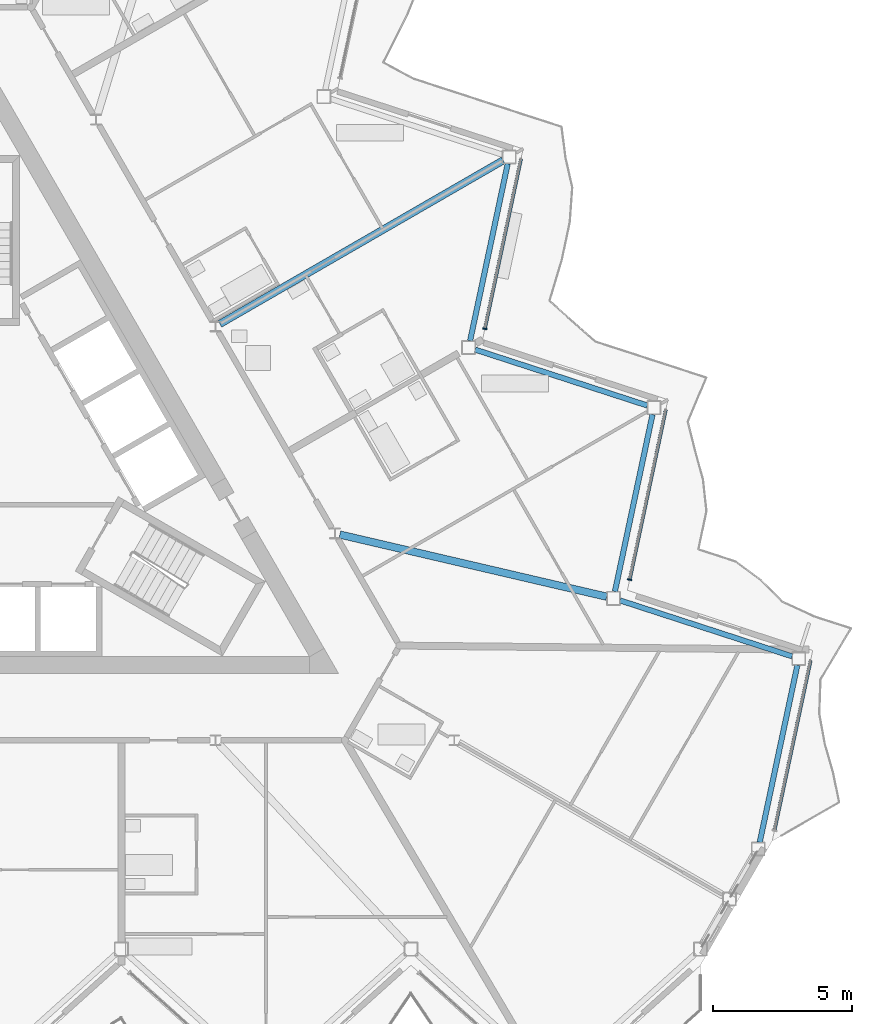
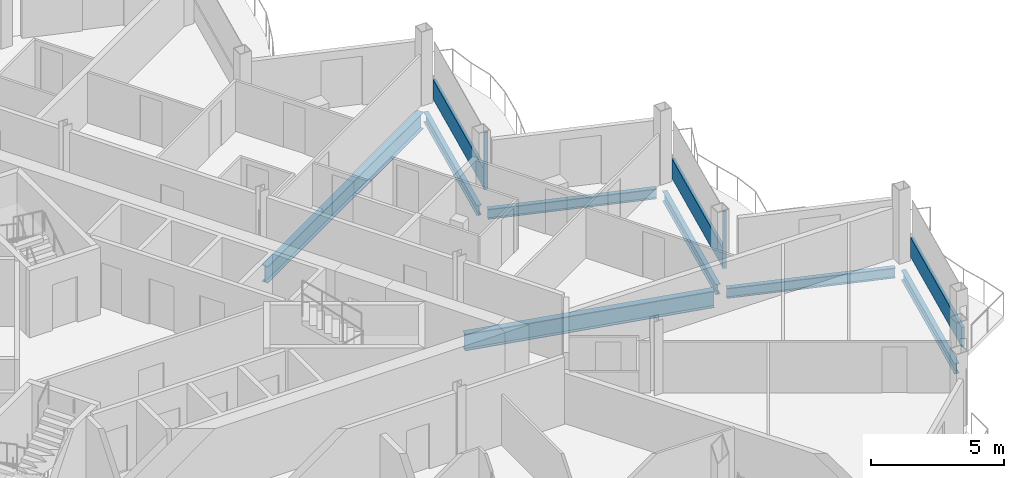
# One storey, part 8 of 26: 7 beams, 5 members, 3 elements without a shape of their own.
"""IFC4 building model written with IfcOpenShell, lengths in metres."""

from ifc_helpers import new_model, si_unit, direction, frame, origin, origin_2d, place, context, subcontext, project, spatial, rectangle, i_section, extrude, material, layer, layer_set, material_profile, profile_set, type_object, element, aggregate, save


model = new_model("IFC4")

# Units and contexts
model_context = context("Model", 3, precision=1e-05, world=origin(), true_north=direction((0.0, 1.0)))
body_context = subcontext(model_context, "Body", "Model", "MODEL_VIEW")
ifc_project = project(units=[si_unit("LENGTHUNIT", "METRE"), si_unit("AREAUNIT", "SQUARE_METRE"), si_unit("VOLUMEUNIT", "CUBIC_METRE"), si_unit("PLANEANGLEUNIT", "RADIAN"), si_unit("MASSUNIT", "GRAM", prefix="KILO")], contexts=[model_context])

# Site, building, storey
site_placement = place(None, origin())
site = spatial("IfcSite", under=ifc_project, at=site_placement, CompositionType="ELEMENT")
building_placement = place(site_placement, origin())
building = spatial("IfcBuilding", under=site, at=building_placement, Name="Cormorant Prow Tower", CompositionType="ELEMENT")
storey_placement = place(building_placement, frame((0.0, 0.0, 374.60009765625)))
storey = spatial("IfcBuildingStorey", under=building, at=storey_placement, Name="L84", CompositionType="ELEMENT", Elevation=374.60009765625)

# Beams
ifc_material_1 = material(Name="Structural steel ASTM A992 Gr 50", Category="steel")
ifc_material_profile_1 = material_profile(ifc_material_1, i_section(OverallWidth=0.267822265625, OverallDepth=0.77001953125, WebThickness=0.015625, FlangeThickness=0.025390625, at=origin_2d()), Name="W30x132")
ifc_profile_set_1 = profile_set([ifc_material_profile_1], Name="Structural steel ASTM A992 Gr 50")
beam_type_1 = type_object("IfcBeamType", Name="Radial floor beam W30x132", PredefinedType="BEAM", material=ifc_profile_set_1)
beam_1_placement = place(storey_placement, frame((13.0498046875, -2.518798828125, -0.68505859375), z_axis=(0.973926084128, -0.226865560752, 0.0), x_axis=(0.226865560752, 0.973926084128, 0.0)))
element("IfcBeam", 1, at=beam_1_placement, inside=storey, type_object=beam_type_1, Name="Radial floor beam FB3 10 L84", PredefinedType="BEAM", context=body_context, shape_type="SweptSolid", body=[
    extrude(i_section(OverallWidth=0.267822265625, OverallDepth=0.77001953125, WebThickness=0.015625, FlangeThickness=0.025390625, at=origin_2d()), origin(), (0.0, 0.0, 1.0), 9.837158203125),
])
beam_2_placement = place(storey_placement, frame((8.740478515625, 5.04638671875, -0.68505859375), z_axis=(0.866026702285, 0.499997750924, 0.0), x_axis=(-0.499997750924, 0.866026702285, 0.0)))
element("IfcBeam", 2, at=beam_2_placement, inside=storey, type_object=beam_type_1, Name="Radial floor beam FB3 11 L84", PredefinedType="BEAM", context=body_context, shape_type="SweptSolid", body=[
    extrude(i_section(OverallWidth=0.267822265625, OverallDepth=0.77001953125, WebThickness=0.015625, FlangeThickness=0.025390625, at=origin_2d()), origin(), (0.0, 0.0, 1.0), 11.7451171875),
])

# Curtain wall, member
ifc_material_2 = material(Name="Aluminium 6063-T6", Category="aluminium")
ifc_layer = layer(ifc_material_2, 0.159912109375)
ifc_layer_set = layer_set([ifc_layer], Name="Aluminium 6063-T6")
curtain_wall_type = type_object("IfcCurtainWallType", Name="Residential unitised curtain wall 160", PredefinedType="NOTDEFINED", material=ifc_layer_set)
curtain_wall_1_placement = place(storey_placement, origin())
curtain_wall_1 = element("IfcCurtainWall", 3, at=curtain_wall_1_placement, inside=storey, type_object=curtain_wall_type, Name="Residential curtain wall ENE02", PredefinedType="NOTDEFINED")
ifc_material_3 = material(Name="Aluminium 6063-T6", Category="aluminium")
ifc_material_profile_2 = material_profile(ifc_material_3, rectangle(XDim=0.159912109375, YDim=0.050048828125, at=origin_2d()), Name="Residential mullion 50x160")
ifc_profile_set_2 = profile_set([ifc_material_profile_2], Name="Aluminium 6063-T6")
member_type_1 = type_object("IfcMemberType", Name="Residential mullion 50x160", PredefinedType="MULLION", material=ifc_profile_set_2)
member_1_placement = place(storey_placement, frame((23.45556640625, -4.1357421875, 0.0), z_axis=(0.0, 0.0, 1.0), x_axis=(-0.978147609588, 0.207911649162, 0.0)))
member_1 = element("IfcMember", 4, at=member_1_placement, type_object=member_type_1, Name="Residential mullion ENE02", PredefinedType="MULLION", context=body_context, shape_type="SweptSolid", body=[
    extrude(rectangle(XDim=0.159912109375, YDim=0.050048828125, at=origin_2d()), origin(), (0.0, 0.0, 1.0), 2.6337890625),
])

curtain_wall_2_placement = place(storey_placement, origin())
curtain_wall_2 = element("IfcCurtainWall", 5, at=curtain_wall_2_placement, inside=storey, type_object=curtain_wall_type, Name="Residential curtain wall ENE04", PredefinedType="NOTDEFINED")
member_2_placement = place(storey_placement, frame((18.25537109375, 4.870849609375, 0.0), z_axis=(0.0, 0.0, 1.0), x_axis=(-0.978147615768, 0.207911620089, 0.0)))
member_2 = element("IfcMember", 6, at=member_2_placement, type_object=member_type_1, Name="Residential mullion ENE04", PredefinedType="MULLION", context=body_context, shape_type="SweptSolid", body=[
    extrude(rectangle(XDim=0.159912109375, YDim=0.050048828125, at=origin_2d()), origin(), (0.0, 0.0, 1.0), 2.6337890625),
])

curtain_wall_3_placement = place(storey_placement, origin())
curtain_wall_3 = element("IfcCurtainWall", 7, at=curtain_wall_3_placement, inside=storey, type_object=curtain_wall_type, Name="Residential curtain wall ENE00", PredefinedType="NOTDEFINED")
ifc_material_4 = material(Name="Terracotta", Category="masonry")
ifc_material_profile_3 = material_profile(ifc_material_4, rectangle(XDim=0.1201171875, YDim=0.89990234375, at=origin_2d()), Name="Residential terracotta spandrel rail 120x900")
ifc_profile_set_3 = profile_set([ifc_material_profile_3], Name="Terracotta")
member_type_2 = type_object("IfcMemberType", Name="Residential terracotta spandrel rail 120x900", PredefinedType="USERDEFINED", material=ifc_profile_set_3)
member_3_placement = place(storey_placement, frame((28.66064453125, -13.117919921875, 0.449951171875), z_axis=(0.207916541247, 0.978146569731, 0.0), x_axis=(-0.978146569731, 0.207916541247, 0.0)))
member_3 = element("IfcMember", 8, at=member_3_placement, type_object=member_type_2, Name="Residential spandrel rail ENE00", ObjectType="TRANSOM", PredefinedType="USERDEFINED", context=body_context, shape_type="SweptSolid", body=[
    extrude(rectangle(XDim=0.1201171875, YDim=0.89990234375, at=origin_2d()), origin(), (0.0, 0.0, 1.0), 6.215087890625),
])
aggregate(curtain_wall_3, [member_3])

# Member
member_4_placement = place(storey_placement, frame((23.460693359375, -4.111328125, 0.449951171875), z_axis=(0.207916541247, 0.978146569731, 0.0), x_axis=(-0.978146569731, 0.207916541247, 0.0)))
member_4 = element("IfcMember", 9, at=member_4_placement, type_object=member_type_2, Name="Residential spandrel rail ENE02", ObjectType="TRANSOM", PredefinedType="USERDEFINED", context=body_context, shape_type="SweptSolid", body=[
    extrude(rectangle(XDim=0.1201171875, YDim=0.89990234375, at=origin_2d()), origin(), (0.0, 0.0, 1.0), 6.215087890625),
])

aggregate(curtain_wall_1, [member_1, member_4])

member_5_placement = place(storey_placement, frame((18.2607421875, 4.895263671875, 0.449951171875), z_axis=(0.207908552773, 0.978148267741, 0.0), x_axis=(-0.978148267741, 0.207908552773, 0.0)))
member_5 = element("IfcMember", 10, at=member_5_placement, type_object=member_type_2, Name="Residential spandrel rail ENE04", ObjectType="TRANSOM", PredefinedType="USERDEFINED", context=body_context, shape_type="SweptSolid", body=[
    extrude(rectangle(XDim=0.1201171875, YDim=0.89990234375, at=origin_2d()), origin(), (0.0, 0.0, 1.0), 6.21533203125),
])

aggregate(curtain_wall_2, [member_2, member_5])

# Beams
ifc_material_5 = material(Name="Structural steel ASTM A992 Gr 50", Category="steel")
ifc_material_profile_4 = material_profile(ifc_material_5, i_section(OverallWidth=0.19287109375, OverallDepth=0.466064453125, WebThickness=0.011474609375, FlangeThickness=0.01904296875, at=origin_2d()), Name="W18x65")
ifc_profile_set_4 = profile_set([ifc_material_profile_4], Name="Structural steel ASTM A992 Gr 50")
beam_type_2 = type_object("IfcBeamType", Name="Spandrel beam W18x65", PredefinedType="SPANDREL", material=ifc_profile_set_4)
beam_3_placement = place(storey_placement, frame((28.125732421875, -13.5693359375, -0.533203125), z_axis=(0.207901897373, 0.978149682344, 0.0), x_axis=(-0.978149682344, 0.207901897373, 0.0)))
element("IfcBeam", 11, at=beam_3_placement, inside=storey, type_object=beam_type_2, Name="Spandrel beam SB4 ENE00-ENE01 L84", PredefinedType="SPANDREL", context=body_context, shape_type="SweptSolid", body=[
    extrude(i_section(OverallWidth=0.19287109375, OverallDepth=0.466064453125, WebThickness=0.011474609375, FlangeThickness=0.01904296875, at=origin_2d()), origin(), (0.0, 0.0, 1.0), 6.49755859375),
])
for number, where, z_axis, x_axis, name in (
    (12, (29.290771484375, -6.89208984375, -0.533203125), (-0.951053396625, 0.309026595569, 0.0), (-0.309026595569, -0.951053396625, 0.0), "Spandrel beam SB4 ENE01-ENE02 L84"),
    (13, (22.92578125, -4.5625, -0.533203125), (0.207909538847, 0.978148058147, 0.0), (-0.978148058147, 0.207909538847, 0.0), "Spandrel beam SB4 ENE02-ENE03 L84"),
    (14, (24.0908203125, 2.114501953125, -0.533203125), (-0.951053396625, 0.309026595569, 0.0), (-0.309026595569, -0.951053396625, 0.0), "Spandrel beam SB4 ENE03-ENE04 L84"),
    (15, (17.725830078125, 4.444091796875, -0.533203125), (0.207909538847, 0.978148058147, 0.0), (-0.978148058147, 0.207909538847, 0.0), "Spandrel beam SB4 ENE04-ENE05 L84"),
):
    element("IfcBeam", number, at=place(storey_placement, frame(where, z_axis=z_axis, x_axis=x_axis)), inside=storey, type_object=beam_type_2, Name=name, PredefinedType="SPANDREL", context=body_context, shape_type="SweptSolid", body=[
        extrude(i_section(OverallWidth=0.19287109375, OverallDepth=0.466064453125, WebThickness=0.011474609375, FlangeThickness=0.01904296875, at=origin_2d()), origin(), (0.0, 0.0, 1.0), 6.497314453125),
    ])

save(model, "model.ifc")
